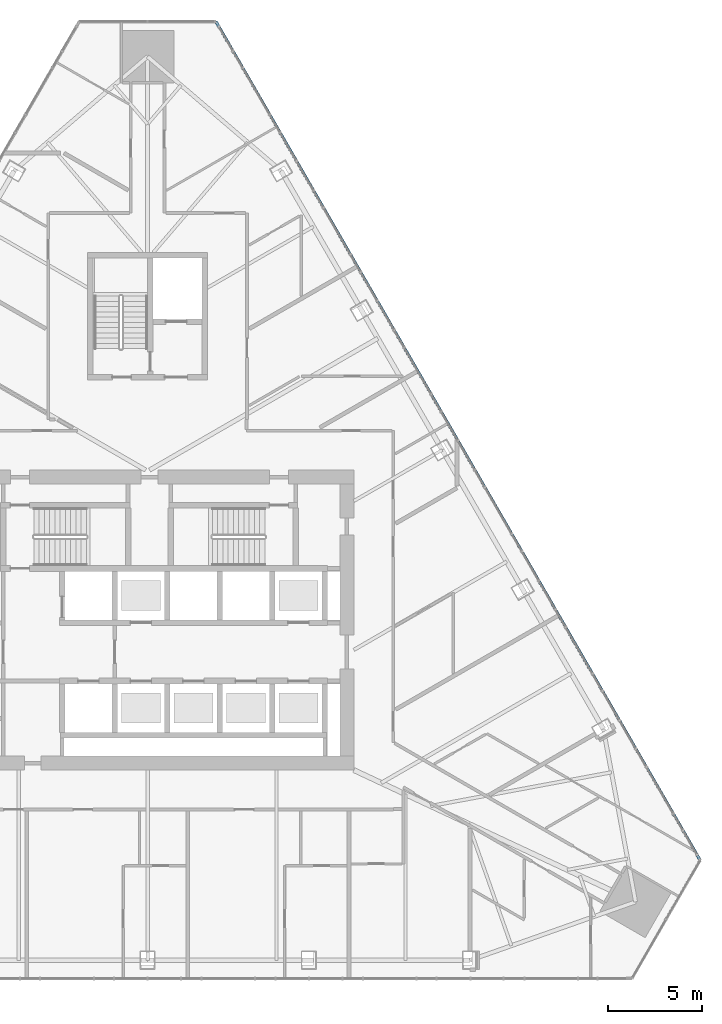
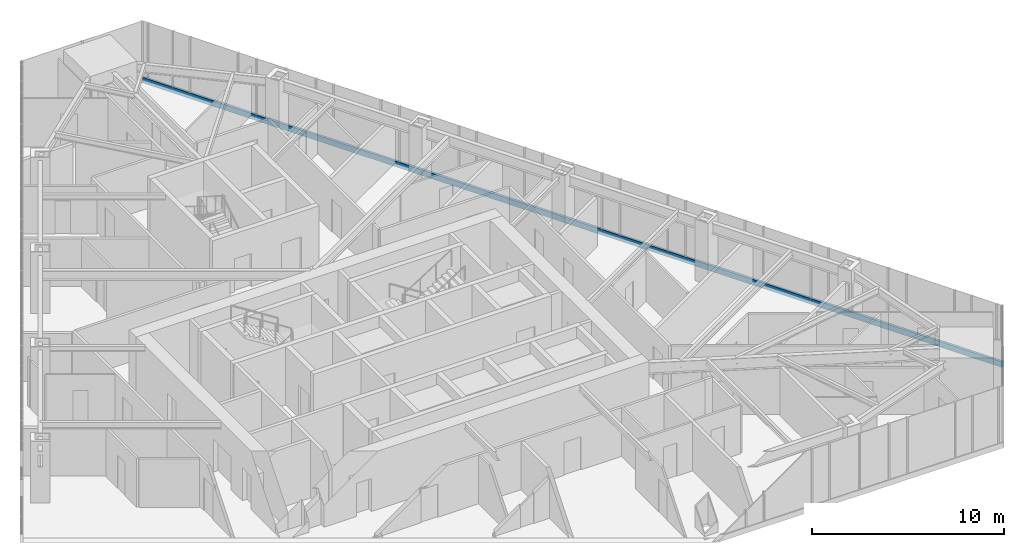
# One storey, part 9 of 24: 1 member, 1 element without a shape of its own.
"""IFC4 building model written with IfcOpenShell, lengths in metres."""

from ifc_helpers import new_model, si_unit, direction, frame, origin, origin_2d, place, context, subcontext, project, spatial, rectangle, extrude, material, layer, layer_set, material_profile, profile_set, type_object, element, aggregate, save


model = new_model("IFC4")

# Units and contexts
model_context = context("Model", 3, precision=1e-05, world=origin(), true_north=direction((0.0, 1.0)))
body_context = subcontext(model_context, "Body", "Model", "MODEL_VIEW")
ifc_project = project(units=[si_unit("LENGTHUNIT", "METRE"), si_unit("AREAUNIT", "SQUARE_METRE"), si_unit("VOLUMEUNIT", "CUBIC_METRE"), si_unit("PLANEANGLEUNIT", "RADIAN"), si_unit("MASSUNIT", "GRAM", prefix="KILO")], contexts=[model_context])

# Site, building, storey
site_placement = place(None, origin())
site = spatial("IfcSite", under=ifc_project, at=site_placement, CompositionType="ELEMENT")
building_placement = place(site_placement, origin())
building = spatial("IfcBuilding", under=site, at=building_placement, Name="Firuza Gate Tower and Library", CompositionType="ELEMENT")
storey_placement = place(building_placement, frame((0.0, 0.0, 206.5)))
storey = spatial("IfcBuildingStorey", under=building, at=storey_placement, Name="L48", CompositionType="ELEMENT", Elevation=206.5)

# Curtain wall, member
ifc_material_1 = material(Name="Aluminium 6063-T6", Category="aluminium")
ifc_layer = layer(ifc_material_1, 0.14990234375)
ifc_layer_set = layer_set([ifc_layer], Name="Unitised curtain wall, hotel")
curtain_wall_type = type_object("IfcCurtainWallType", Name="Unitised curtain wall, hotel", PredefinedType="NOTDEFINED", material=ifc_layer_set)
curtain_wall_placement = place(storey_placement, origin())
curtain_wall = element("IfcCurtainWall", 1, at=curtain_wall_placement, inside=storey, type_object=curtain_wall_type, Name="CW2 L48 E face", PredefinedType="NOTDEFINED")
ifc_material_2 = material(Name="Aluminium 6063-T6", Category="aluminium")
ifc_material_profile = material_profile(ifc_material_2, rectangle(XDim=0.14990234375, YDim=0.35009765625, at=origin_2d()))
ifc_profile_set = profile_set([ifc_material_profile], Name="Aluminium 6063-T6")
member_type = type_object("IfcMemberType", Name="Curtain wall transom 350x150", PredefinedType="USERDEFINED", material=ifc_profile_set)
member_placement = place(storey_placement, frame((104.4677734375, 62.193603515625, -0.02490234375), z_axis=(-0.499998236205, 0.86602642211, 0.0), x_axis=(-0.86602642211, -0.499998236205, 0.0)))
member = element("IfcMember", 2, at=member_placement, type_object=member_type, Name="Transom", ObjectType="TRANSOM", PredefinedType="USERDEFINED", context=body_context, shape_type="SweptSolid", body=[
    extrude(rectangle(XDim=0.14990234375, YDim=0.35009765625, at=origin_2d()), origin(), (0.0, 0.0, 1.0), 51.649169921875),
])
aggregate(curtain_wall, [member])

save(model, "model.ifc")
